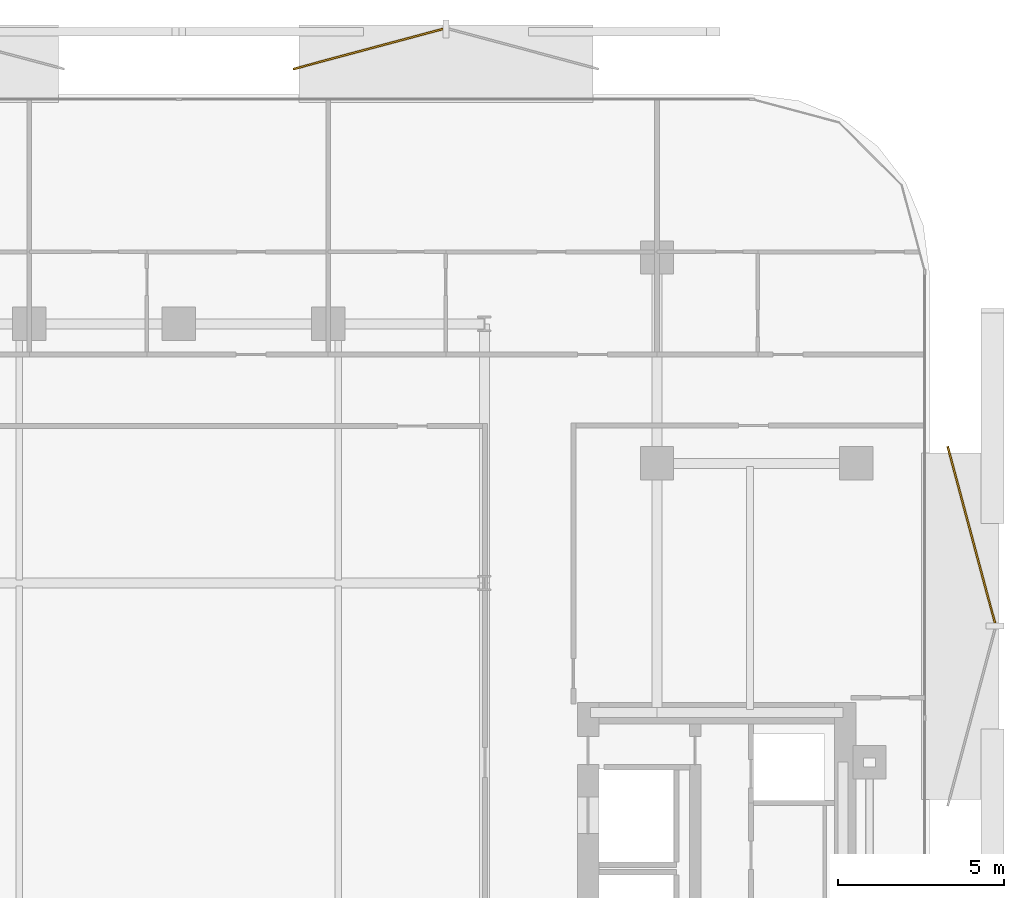
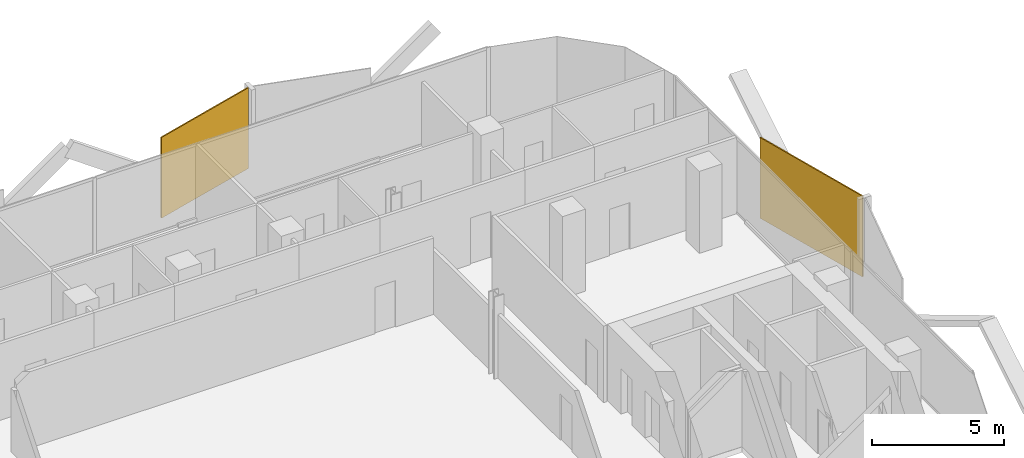
# One storey, part 17 of 17: 2 coverings.
"""IFC4 building model written with IfcOpenShell, lengths in metres."""

from ifc_helpers import new_model, si_unit, direction, frame, origin, origin_2d, place, context, subcontext, project, spatial, rectangle, extrude, material, layer, layer_set, type_object, element, save


model = new_model("IFC4")

# Units and contexts
model_context = context("Model", 3, precision=1e-05, world=origin(), true_north=direction((0.0, 1.0)))
body_context = subcontext(model_context, "Body", "Model", "MODEL_VIEW")
ifc_project = project(units=[si_unit("LENGTHUNIT", "METRE"), si_unit("AREAUNIT", "SQUARE_METRE"), si_unit("VOLUMEUNIT", "CUBIC_METRE"), si_unit("PLANEANGLEUNIT", "RADIAN"), si_unit("MASSUNIT", "GRAM", prefix="KILO")], contexts=[model_context])

# Site, building, storey
site_placement = place(None, origin())
site = spatial("IfcSite", under=ifc_project, at=site_placement, CompositionType="ELEMENT")
building_placement = place(site_placement, origin())
building = spatial("IfcBuilding", under=site, at=building_placement, Name="Khairoan Windgate Tower", CompositionType="ELEMENT")
storey_placement = place(building_placement, frame((0.0, 0.0, 168.800048828125)))
storey = spatial("IfcBuildingStorey", under=building, at=storey_placement, Name="L38", CompositionType="ELEMENT", Elevation=168.800048828125)

# Coverings
ifc_material = material(Name="Anodised Bronze Aluminium 6063-T6", Category="aluminium")
ifc_layer = layer(ifc_material, 0.054931640625, Name="Anodised Bronze Aluminium 6063-T6")
ifc_layer_set = layer_set([ifc_layer], Name="Anodised Bronze Aluminium 6063-T6")
covering_type = type_object("IfcCoveringType", Name="Perforated Bronze-Ceramic Folded Solar Screen Cladding BSC-1", PredefinedType="CLADDING", material=ifc_layer_set)
covering_1_placement = place(storey_placement, frame((5.701904296875, 26.876220703125, -0.10009765625), z_axis=(0.0, 0.0, 1.0), x_axis=(0.965925826289, 0.258819045103, 0.0)))
element("IfcCovering", 1, at=covering_1_placement, inside=storey, type_object=covering_type, Name="L38 Folded Bronze Solar Screen Facet 246L", PredefinedType="CLADDING", context=body_context, shape_type="SweptSolid", body=[
    extrude(rectangle(XDim=4.666015625, YDim=0.054931640625, at=origin_2d()), origin(), (0.0, 0.0, 1.0), 3.739990234375),
])
covering_2_placement = place(storey_placement, frame((23.8671875, 12.2451171875, -0.10009765625), z_axis=(0.0, 0.0, 1.0), x_axis=(0.258819045103, -0.965925826289, 0.0)))
element("IfcCovering", 2, at=covering_2_placement, inside=storey, type_object=covering_type, Name="L38 Folded Bronze Solar Screen Facet 247L", PredefinedType="CLADDING", context=body_context, shape_type="SweptSolid", body=[
    extrude(rectangle(XDim=5.507080078125, YDim=0.054931640625, at=origin_2d()), origin(), (0.0, 0.0, 1.0), 3.739990234375),
])

save(model, "model.ifc")
